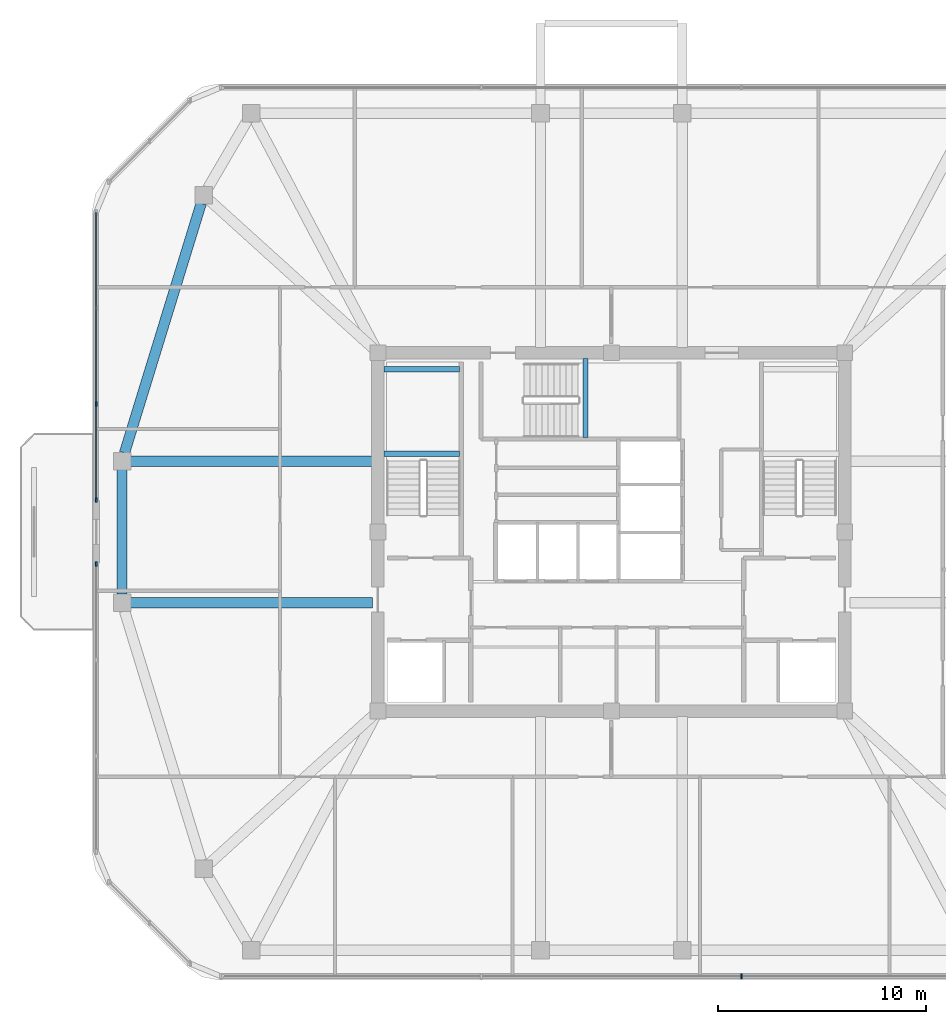
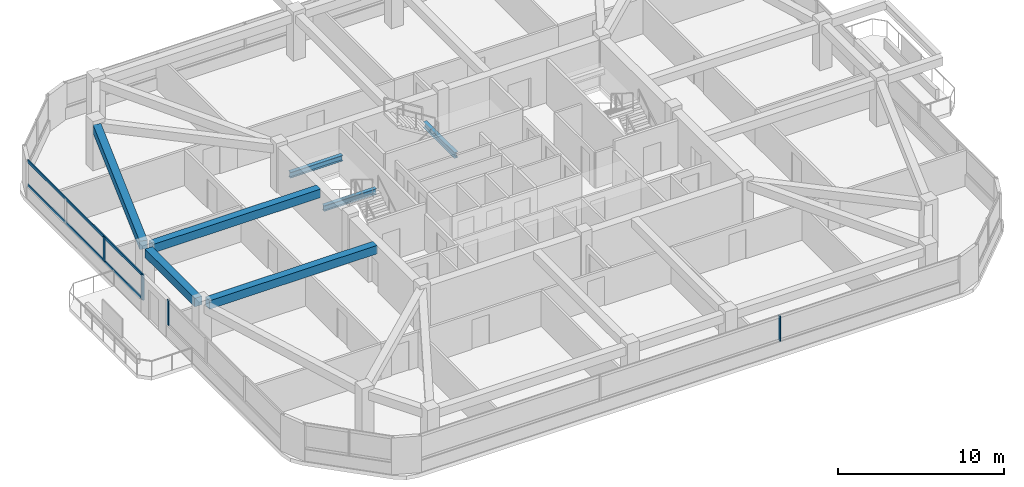
# One storey, part 4 of 13: 7 beams, 6 members, 3 elements without a shape of their own.
"""IFC4 building model written with IfcOpenShell, lengths in metres."""

from ifc_helpers import new_model, si_unit, derived_unit, direction, frame, origin, origin_2d, place, context, subcontext, project, spatial, rectangle, i_section, extrude, material, material_profile, profile_set, type_object, element, aggregate, save


model = new_model("IFC4")

# Units and contexts
model_context = context("Model", 3, precision=1e-05, world=origin(), true_north=direction((0.0, 1.0)))
body_context = subcontext(model_context, "Body", "Model", "MODEL_VIEW")
ifc_project = project(units=[si_unit("LENGTHUNIT", "METRE"), si_unit("AREAUNIT", "SQUARE_METRE"), si_unit("VOLUMEUNIT", "CUBIC_METRE"), si_unit("PLANEANGLEUNIT", "RADIAN"), si_unit("MASSUNIT", "GRAM", prefix="KILO"), derived_unit("THERMALTRANSMITTANCEUNIT", [(si_unit("POWERUNIT", "WATT"), 1), (si_unit("LENGTHUNIT", "METRE"), -2), (si_unit("THERMODYNAMICTEMPERATUREUNIT", "KELVIN"), -1)])], contexts=[model_context])

# Site, building, storey
site_placement = place(None, origin())
site = spatial("IfcSite", under=ifc_project, at=site_placement, CompositionType="ELEMENT")
building_placement = place(site_placement, origin())
building = spatial("IfcBuilding", under=site, at=building_placement, Name="Koralith Skygarden Medical Center", CompositionType="ELEMENT")
storey_placement = place(building_placement, frame((0.0, 0.0, 271.6201171875)))
storey = spatial("IfcBuildingStorey", under=building, at=storey_placement, Name="L70", CompositionType="ELEMENT", Elevation=271.6201171875)

# Curtain wall, member
ifc_material_1 = material(Name="Clear Laminated Glass", Category="glass")
curtain_wall_type = type_object("IfcCurtainWallType", Name="CW-6 Zone 5 Upper Clinical Curtain Wall", PredefinedType="NOTDEFINED", material=ifc_material_1)
curtain_wall_1_placement = place(storey_placement, origin())
curtain_wall_1 = element("IfcCurtainWall", 1, at=curtain_wall_1_placement, inside=storey, type_object=curtain_wall_type, Name="Curtain Wall CW-L70-S", PredefinedType="NOTDEFINED")
ifc_material_2 = material(Name="Aluminium 6063-T6", Category="aluminium")
ifc_material_profile_1 = material_profile(ifc_material_2, rectangle(XDim=0.0830078125, YDim=0.219970703125, at=origin_2d()), Name="MUL83X220")
ifc_profile_set_1 = profile_set([ifc_material_profile_1], Name="Aluminium 6063-T6")
member_type_1 = type_object("IfcMemberType", Name="CW-6 Extruded Mullion 83x220", PredefinedType="MULLION", material=ifc_profile_set_1)
member_1_placement = place(storey_placement, frame((43.248046875, 4.580078125, 0.849853515625), z_axis=(0.0, 0.0, 1.0), x_axis=(1.0, 0.0, 0.0)))
member_1 = element("IfcMember", 2, at=member_1_placement, type_object=member_type_1, Name="CW-L70-S Mullion 3", PredefinedType="MULLION", context=body_context, shape_type="SweptSolid", body=[
    extrude(rectangle(XDim=0.0830078125, YDim=0.219970703125, at=origin_2d()), origin(), (0.0, 0.0, 1.0), 1.840087890625),
])
aggregate(curtain_wall_1, [member_1])

# Curtain wall, members
curtain_wall_2_placement = place(storey_placement, origin())
curtain_wall_2 = element("IfcCurtainWall", 3, at=curtain_wall_2_placement, inside=storey, type_object=curtain_wall_type, Name="Curtain Wall CW-L70-W-L", PredefinedType="NOTDEFINED")
member_2_placement = place(storey_placement, frame((12.280029296875, 32.0419921875, 0.849853515625), z_axis=(0.0, 0.0, 1.0), x_axis=(1.0, 0.0, 0.0)))
member_2 = element("IfcMember", 4, at=member_2_placement, type_object=member_type_1, Name="CW-L70-W-L Mullion 3", PredefinedType="MULLION", context=body_context, shape_type="SweptSolid", body=[
    extrude(rectangle(XDim=0.0830078125, YDim=0.219970703125, at=origin_2d()), origin(), (0.0, 0.0, 1.0), 1.840087890625),
])
member_3_placement = place(storey_placement, frame((12.280029296875, 27.43994140625, 0.849853515625), z_axis=(0.0, 0.0, 1.0), x_axis=(1.0, 0.0, 0.0)))
member_3 = element("IfcMember", 5, at=member_3_placement, type_object=member_type_1, Name="CW-L70-W-L Mullion 4", PredefinedType="MULLION", context=body_context, shape_type="SweptSolid", body=[
    extrude(rectangle(XDim=0.0830078125, YDim=0.219970703125, at=origin_2d()), origin(), (0.0, 0.0, 1.0), 1.840087890625),
])

# Curtain wall, member
curtain_wall_3_placement = place(storey_placement, origin())
curtain_wall_3 = element("IfcCurtainWall", 6, at=curtain_wall_3_placement, inside=storey, type_object=curtain_wall_type, Name="Curtain Wall CW-L70-W-R", PredefinedType="NOTDEFINED")
member_4_placement = place(storey_placement, frame((12.280029296875, 24.360107421875, 0.849853515625), z_axis=(0.0, 0.0, 1.0), x_axis=(1.0, 0.0, 0.0)))
member_4 = element("IfcMember", 7, at=member_4_placement, type_object=member_type_1, Name="CW-L70-W-R Mullion 1", PredefinedType="MULLION", context=body_context, shape_type="SweptSolid", body=[
    extrude(rectangle(XDim=0.0830078125, YDim=0.219970703125, at=origin_2d()), origin(), (0.0, 0.0, 1.0), 1.840087890625),
])
aggregate(curtain_wall_3, [member_4])

# Member
ifc_material_profile_2 = material_profile(ifc_material_2, rectangle(XDim=0.077880859375, YDim=0.197998046875, at=origin_2d()), Name="TRN78X198")
ifc_profile_set_2 = profile_set([ifc_material_profile_2], Name="Aluminium 6063-T6")
member_type_2 = type_object("IfcMemberType", Name="CW-6 Thermal Transom 78x198", PredefinedType="USERDEFINED", material=ifc_profile_set_2)
member_5_placement = place(storey_placement, frame((12.280029296875, 41.2451171875, 0.89990234375), z_axis=(0.0, -1.0, 0.0), x_axis=(1.0, 0.0, 0.0)))
member_5 = element("IfcMember", 8, at=member_5_placement, type_object=member_type_2, Name="CW-L70-W-L Transom 1", ObjectType="TRANSOM", PredefinedType="USERDEFINED", context=body_context, shape_type="SweptSolid", body=[
    extrude(rectangle(XDim=0.077880859375, YDim=0.197998046875, at=origin_2d()), origin(), (0.0, 0.0, 1.0), 13.80517578125),
])

member_6_placement = place(storey_placement, frame((12.280029296875, 41.2451171875, 2.639892578125), z_axis=(0.0, -1.0, 0.0), x_axis=(1.0, 0.0, 0.0)))
member_6 = element("IfcMember", 9, at=member_6_placement, type_object=member_type_2, Name="CW-L70-W-L Transom 2", ObjectType="TRANSOM", PredefinedType="USERDEFINED", context=body_context, shape_type="SweptSolid", body=[
    extrude(rectangle(XDim=0.077880859375, YDim=0.197998046875, at=origin_2d()), origin(), (0.0, 0.0, 1.0), 13.80517578125),
])

aggregate(curtain_wall_2, [member_2, member_3, member_5, member_6])

# Beams
ifc_material_3 = material(Name="Steel ASTM A992 Grade 50", Category="steel")
ifc_material_profile_3 = material_profile(ifc_material_3, i_section(OverallWidth=0.260009765625, OverallDepth=0.4150390625, WebThickness=0.010009765625, FlangeThickness=0.016845703125, at=origin_2d()), Name="W16X67")
ifc_profile_set_3 = profile_set([ifc_material_profile_3], Name="Steel ASTM A992 Grade 50")
beam_type_1 = type_object("IfcBeamType", Name="Clinical Floor Joist W16X67", PredefinedType="JOIST", material=ifc_profile_set_3)
for number, where, z_axis, x_axis, name in (
    (10, (26.080078125, 29.659912109375, 1.392822265625), (1.0, 0.0, 0.0), (0.0, 1.0, 0.0), "L70 Stair ST1 Half-Landing Support Beam 1A"),
    (11, (26.080078125, 33.699951171875, 1.392822265625), (1.0, 0.0, 0.0), (0.0, 1.0, 0.0), "L70 Stair ST1 Half-Landing Support Beam 1B"),
):
    element("IfcBeam", number, at=place(storey_placement, frame(where, z_axis=z_axis, x_axis=x_axis)), inside=storey, type_object=beam_type_1, Name=name, PredefinedType="JOIST", context=body_context, shape_type="SweptSolid", body=[
        extrude(i_section(OverallWidth=0.260009765625, OverallDepth=0.4150390625, WebThickness=0.010009765625, FlangeThickness=0.016845703125, at=origin_2d()), origin(), (0.0, 0.0, 1.0), 3.639892578125),
    ])
beam_1_placement = place(storey_placement, frame((35.760009765625, 30.43994140625, 1.392822265625), z_axis=(0.0, 1.0, 0.0), x_axis=(-1.0, 0.0, 0.0)))
element("IfcBeam", 12, at=beam_1_placement, inside=storey, type_object=beam_type_1, Name="L70 Stair ST3 Half-Landing Support Beam 1A", PredefinedType="JOIST", context=body_context, shape_type="SweptSolid", body=[
    extrude(i_section(OverallWidth=0.260009765625, OverallDepth=0.4150390625, WebThickness=0.010009765625, FlangeThickness=0.016845703125, at=origin_2d()), origin(), (0.0, 0.0, 1.0), 3.780029296875),
])
ifc_material_4 = material(Name="Concrete C45/55", Category="concrete")
ifc_material_profile_4 = material_profile(ifc_material_4, rectangle(XDim=0.5, YDim=0.6201171875, at=origin_2d()), Name="RCB500X620")
ifc_profile_set_4 = profile_set([ifc_material_profile_4], Name="Concrete C45/55")
beam_type_2 = type_object("IfcBeamType", Name="Upper Radial Collector Beam RCB500X620", PredefinedType="BEAM", material=ifc_profile_set_4)
for number, where, z_axis, x_axis, name in (
    (13, (25.550048828125, 22.5, 3.009765625), (-1.0, 0.0, 0.0), (0.0, -1.0, 0.0), "L70 Radial Collector Beam RB-01"),
    (14, (25.550048828125, 29.300048828125, 3.009765625), (-1.0, 0.0, 0.0), (0.0, -1.0, 0.0), "L70 Radial Collector Beam RB-16"),
):
    element("IfcBeam", number, at=place(storey_placement, frame(where, z_axis=z_axis, x_axis=x_axis)), inside=storey, type_object=beam_type_2, Name=name, PredefinedType="BEAM", context=body_context, shape_type="SweptSolid", body=[
        extrude(rectangle(XDim=0.5, YDim=0.6201171875, at=origin_2d()), origin(), (0.0, 0.0, 1.0), 11.6201171875),
    ])
ifc_material_profile_5 = material_profile(ifc_material_4, rectangle(XDim=0.5, YDim=0.6201171875, at=origin_2d()), Name="RCB500X620")
ifc_profile_set_5 = profile_set([ifc_material_profile_5], Name="Concrete C45/55")
beam_type_3 = type_object("IfcBeamType", Name="Zone 4-5 Spandrel Beam RCB500X620", PredefinedType="SPANDREL", material=ifc_profile_set_5)
beam_2_placement = place(storey_placement, frame((17.320068359375, 41.66796875, 3.009765625), z_axis=(-0.293738023424, -0.955885962652, 0.0), x_axis=(0.955885962652, -0.293738023424, 0.0)))
element("IfcBeam", 15, at=beam_2_placement, inside=storey, type_object=beam_type_3, Name="L70 Perimeter Spandrel Beam SP-15", PredefinedType="SPANDREL", context=body_context, shape_type="SweptSolid", body=[
    extrude(rectangle(XDim=0.5, YDim=0.6201171875, at=origin_2d()), origin(), (0.0, 0.0, 1.0), 12.52880859375),
])
beam_3_placement = place(storey_placement, frame((13.52001953125, 28.889892578125, 3.009765625), z_axis=(0.0, -1.0, 0.0), x_axis=(1.0, 0.0, 0.0)))
element("IfcBeam", 16, at=beam_3_placement, inside=storey, type_object=beam_type_3, Name="L70 Perimeter Spandrel Beam SP-16", PredefinedType="SPANDREL", context=body_context, shape_type="SweptSolid", body=[
    extrude(rectangle(XDim=0.5, YDim=0.6201171875, at=origin_2d()), origin(), (0.0, 0.0, 1.0), 5.97998046875),
])

save(model, "model.ifc")
